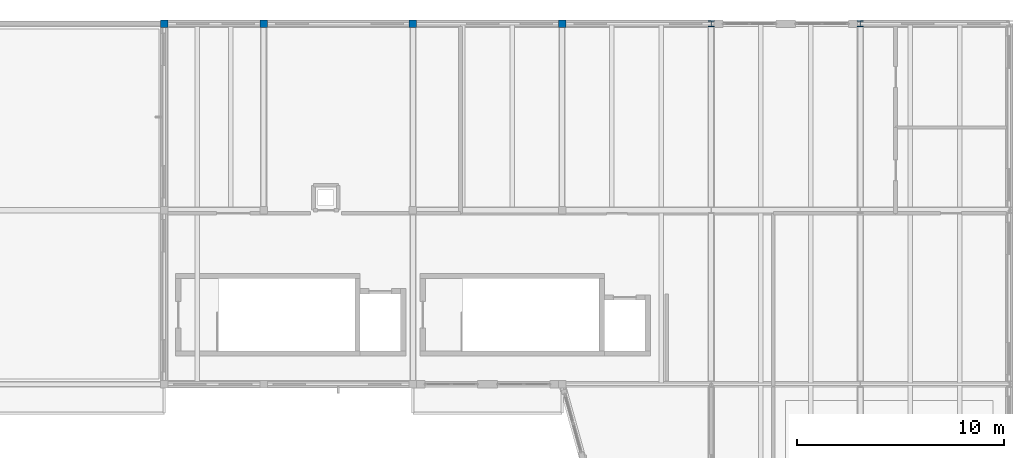
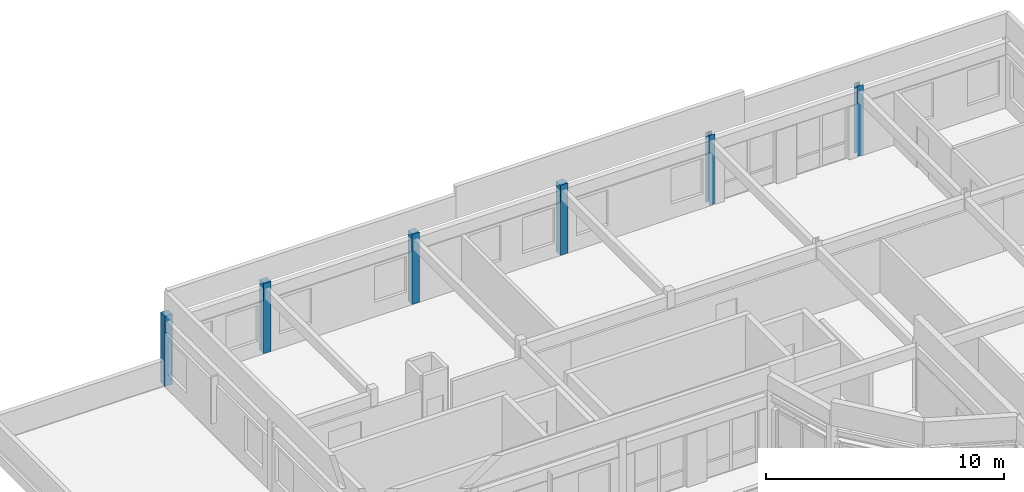
# One storey, part 4 of 21: 6 columns.
"""IFC4 building model written with IfcOpenShell, lengths in metres."""

from ifc_helpers import new_model, si_unit, direction, frame, origin, origin_2d, place, context, subcontext, project, spatial, rectangle, i_section, extrude, material, material_profile, profile_set, type_object, element, save


model = new_model("IFC4")

# Units and contexts
model_context = context("Model", 3, precision=1e-05, world=origin(), true_north=direction((0.0, 1.0)))
body_context = subcontext(model_context, "Body", "Model", "MODEL_VIEW")
ifc_project = project(units=[si_unit("LENGTHUNIT", "METRE"), si_unit("AREAUNIT", "SQUARE_METRE"), si_unit("VOLUMEUNIT", "CUBIC_METRE"), si_unit("PLANEANGLEUNIT", "RADIAN"), si_unit("MASSUNIT", "GRAM", prefix="KILO")], contexts=[model_context])

# Site, building, storey
site_placement = place(None, origin())
site = spatial("IfcSite", under=ifc_project, at=site_placement, CompositionType="ELEMENT")
building_placement = place(site_placement, origin())
building = spatial("IfcBuilding", under=site, at=building_placement, Name="Kahlenmark Community Centre", CompositionType="ELEMENT")
storey_placement = place(building_placement, frame((0.0, 0.0, 21.60009765625)))
storey = spatial("IfcBuildingStorey", under=building, at=storey_placement, Name="L05", CompositionType="ELEMENT", Elevation=21.60009765625)

# Columns
ifc_material_1 = material(Name="Glulam GL32h", Category="wood")
ifc_material_profile_1 = material_profile(ifc_material_1, rectangle(XDim=0.360107421875, YDim=0.360107421875, at=origin_2d()), Name="GL32h 360x360")
ifc_profile_set_1 = profile_set([ifc_material_profile_1], Name="Glulam GL32h")
column_type_1 = type_object("IfcColumnType", Name="CT-GL360", PredefinedType="COLUMN", material=ifc_profile_set_1)
for number, where, z_axis, x_axis, name in (
    (1, (46.0, 115.0, 0.0), (0.0, 0.0, 1.0), (1.0, 0.0, 0.0), "L05 column (46.0, 115.0)"),
    (2, (50.800048828125, 115.0, 0.0), (0.0, 0.0, 1.0), (1.0, 0.0, 0.0), "L05 column (50.8, 115.0)"),
    (3, (58.0, 115.0, 0.0), (0.0, 0.0, 1.0), (1.0, 0.0, 0.0), "L05 column (58.0, 115.0)"),
    (4, (65.199951171875, 115.0, 0.0), (0.0, 0.0, 1.0), (1.0, 0.0, 0.0), "L05 column (65.2, 115.0)"),
):
    element("IfcColumn", number, at=place(storey_placement, frame(where, z_axis=z_axis, x_axis=x_axis)), inside=storey, type_object=column_type_1, Name=name, PredefinedType="COLUMN", context=body_context, shape_type="SweptSolid", body=[
        extrude(rectangle(XDim=0.360107421875, YDim=0.360107421875, at=origin_2d()), origin(), (0.0, 0.0, 1.0), 3.599853515625),
    ])
ifc_material_2 = material(Name="Steel S355", Category="steel")
ifc_material_profile_2 = material_profile(ifc_material_2, i_section(OverallWidth=0.300048828125, OverallDepth=0.2900390625, WebThickness=0.008544921875, FlangeThickness=0.013916015625, at=origin_2d()), Name="HEA 300")
ifc_profile_set_2 = profile_set([ifc_material_profile_2], Name="Steel S355")
column_type_2 = type_object("IfcColumnType", Name="CT-HEA300", PredefinedType="COLUMN", material=ifc_profile_set_2)
for number, where, z_axis, x_axis, name in (
    (5, (72.39990234375, 115.0, 0.0), (0.0, 0.0, 1.0), (1.0, 0.0, 0.0), "L05 column (72.4, 115.0)"),
    (6, (79.60009765625, 115.0, 0.0), (0.0, 0.0, 1.0), (1.0, 0.0, 0.0), "L05 column (79.6, 115.0)"),
):
    element("IfcColumn", number, at=place(storey_placement, frame(where, z_axis=z_axis, x_axis=x_axis)), inside=storey, type_object=column_type_2, Name=name, PredefinedType="COLUMN", context=body_context, shape_type="SweptSolid", body=[
        extrude(i_section(OverallWidth=0.300048828125, OverallDepth=0.2900390625, WebThickness=0.008544921875, FlangeThickness=0.013916015625, at=origin_2d()), origin(), (0.0, 0.0, 1.0), 3.599853515625),
    ])

save(model, "model.ifc")
